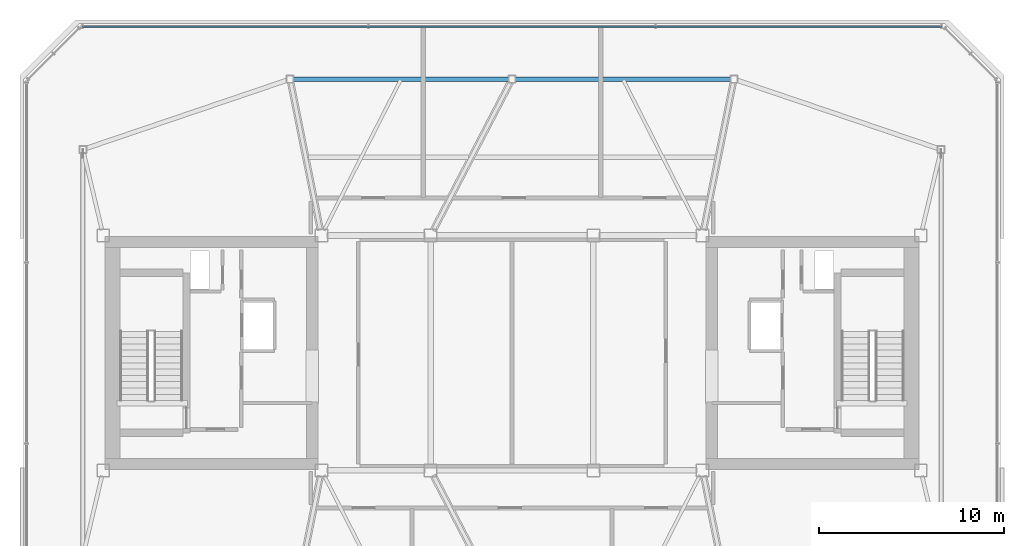
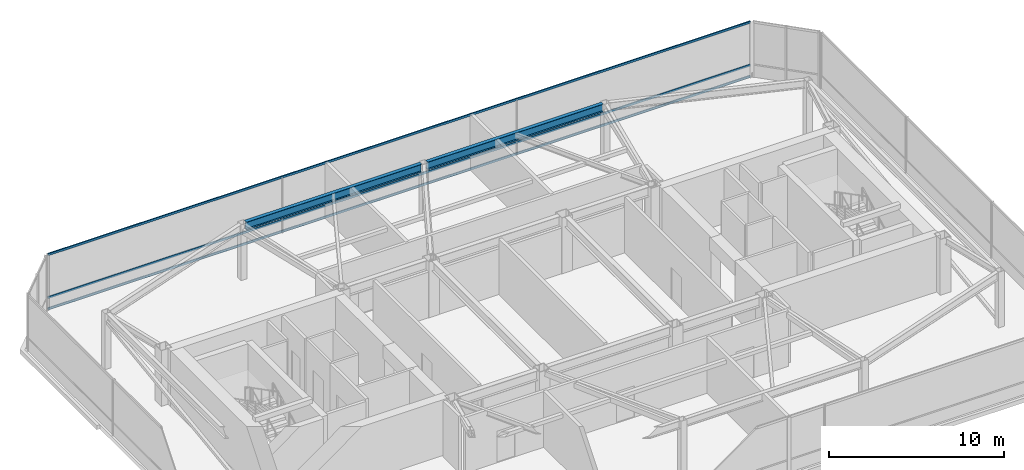
# One storey, part 14 of 21: 3 members, 2 beams, 1 element without a shape of its own.
"""IFC4 building model written with IfcOpenShell, lengths in metres."""

from ifc_helpers import new_model, si_unit, direction, frame, origin, origin_2d, place, context, subcontext, project, spatial, hollow_rectangle, i_section, extrude, material, layer, layer_set, material_profile, profile_set, type_object, element, aggregate, save


model = new_model("IFC4")

# Units and contexts
model_context = context("Model", 3, precision=1e-05, world=origin(), true_north=direction((0.0, 1.0)))
body_context = subcontext(model_context, "Body", "Model", "MODEL_VIEW")
ifc_project = project(units=[si_unit("LENGTHUNIT", "METRE"), si_unit("AREAUNIT", "SQUARE_METRE"), si_unit("VOLUMEUNIT", "CUBIC_METRE"), si_unit("PLANEANGLEUNIT", "RADIAN"), si_unit("MASSUNIT", "GRAM", prefix="KILO")], contexts=[model_context])

# Site, building, storey
site_placement = place(None, origin())
site = spatial("IfcSite", under=ifc_project, at=site_placement, CompositionType="ELEMENT")
building_placement = place(site_placement, origin())
building = spatial("IfcBuilding", under=site, at=building_placement, Name="Tavrogorsk Clinical Tower", CompositionType="ELEMENT")
storey_placement = place(building_placement, frame((0.0, 0.0, 348.60009765625)))
storey = spatial("IfcBuildingStorey", under=building, at=storey_placement, Name="L81", CompositionType="ELEMENT", Elevation=348.60009765625)

# Curtain wall, members
ifc_material_1 = material(Name="Anodised aluminium and triple IGU glazing", Category="aluminium")
ifc_layer = layer(ifc_material_1, 0.179931640625)
ifc_layer_set = layer_set([ifc_layer], Name="Anodised aluminium and triple IGU glazing")
curtain_wall_type = type_object("IfcCurtainWallType", Name="CW5_SkyLobby", PredefinedType="NOTDEFINED", material=ifc_layer_set)
curtain_wall_placement = place(storey_placement, origin())
curtain_wall = element("IfcCurtainWall", 1, at=curtain_wall_placement, inside=storey, type_object=curtain_wall_type, Name="L81 Curtain Wall CW-L81-DRUM-4", PredefinedType="NOTDEFINED")
ifc_material_2 = material(Name="Anodised aluminium alloy AW-6060", Category="aluminium")
ifc_material_profile_1 = material_profile(ifc_material_2, hollow_rectangle(XDim=0.074951171875, YDim=0.14990234375, WallThickness=0.0048828125, at=origin_2d()), Name="RHS-150x75x5")
ifc_profile_set_1 = profile_set([ifc_material_profile_1], Name="Anodised aluminium alloy AW-6060")
member_type = type_object("IfcMemberType", Name="CwTransom_150x75", PredefinedType="USERDEFINED", material=ifc_profile_set_1)
member_1_placement = place(storey_placement, frame((-23.228759765625, 17.639892578125, 0.0498046875), z_axis=(1.0, 0.0, 0.0), x_axis=(0.0, 1.0, 0.0)))
member_1 = element("IfcMember", 2, at=member_1_placement, type_object=member_type, Name="CW-L81-DRUM-4 Transom 1", ObjectType="TRANSOM", PredefinedType="USERDEFINED", context=body_context, shape_type="SweptSolid", body=[
    extrude(hollow_rectangle(XDim=0.074951171875, YDim=0.14990234375, WallThickness=0.0048828125, at=origin_2d()), origin(), (0.0, 0.0, 1.0), 46.45751953125),
])
member_2_placement = place(storey_placement, frame((-23.228759765625, 17.639892578125, 0.849853515625), z_axis=(1.0, 0.0, 0.0), x_axis=(0.0, 1.0, 0.0)))
member_2 = element("IfcMember", 3, at=member_2_placement, type_object=member_type, Name="CW-L81-DRUM-4 Transom 2", ObjectType="TRANSOM", PredefinedType="USERDEFINED", context=body_context, shape_type="SweptSolid", body=[
    extrude(hollow_rectangle(XDim=0.074951171875, YDim=0.14990234375, WallThickness=0.0048828125, at=origin_2d()), origin(), (0.0, 0.0, 1.0), 46.45751953125),
])
member_3_placement = place(storey_placement, frame((-23.228759765625, 17.639892578125, 3.849853515625), z_axis=(1.0, 0.0, 0.0), x_axis=(0.0, 1.0, 0.0)))
member_3 = element("IfcMember", 4, at=member_3_placement, type_object=member_type, Name="CW-L81-DRUM-4 Transom 3", ObjectType="TRANSOM", PredefinedType="USERDEFINED", context=body_context, shape_type="SweptSolid", body=[
    extrude(hollow_rectangle(XDim=0.074951171875, YDim=0.14990234375, WallThickness=0.0048828125, at=origin_2d()), origin(), (0.0, 0.0, 1.0), 46.45751953125),
])
aggregate(curtain_wall, [member_1, member_2, member_3])

# Beams
ifc_material_3 = material(Name="Structural steel S390", Category="steel")
ifc_material_profile_2 = material_profile(ifc_material_3, i_section(OverallWidth=0.239990234375, OverallDepth=0.550048828125, WebThickness=0.013916015625, FlangeThickness=0.02197265625, at=origin_2d()), Name="B-550x240x14x22")
ifc_profile_set_2 = profile_set([ifc_material_profile_2], Name="Structural steel S390")
beam_type = type_object("IfcBeamType", Name="SpandrelBeam_B550", PredefinedType="SPANDREL", material=ifc_profile_set_2)
for number, where, z_axis, x_axis, name in (
    (5, (11.81005859375, 14.800048828125, 3.625), (-1.0, 0.0, 0.0), (0.0, -1.0, 0.0), "L81 Crown Spandrel Beam 06"),
    (6, (-0.18994140625, 14.800048828125, 3.625), (-1.0, 0.0, 0.0), (0.0, -1.0, 0.0), "L81 Crown Spandrel Beam 07"),
):
    element("IfcBeam", number, at=place(storey_placement, frame(where, z_axis=z_axis, x_axis=x_axis)), inside=storey, type_object=beam_type, Name=name, PredefinedType="SPANDREL", context=body_context, shape_type="SweptSolid", body=[
        extrude(i_section(OverallWidth=0.239990234375, OverallDepth=0.550048828125, WebThickness=0.013916015625, FlangeThickness=0.02197265625, at=origin_2d()), origin(), (0.0, 0.0, 1.0), 11.6201171875),
    ])

save(model, "model.ifc")
